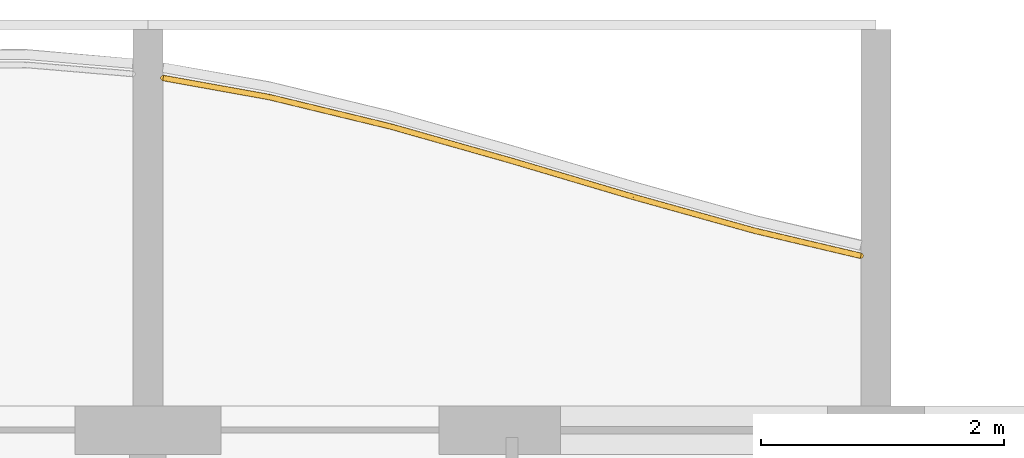
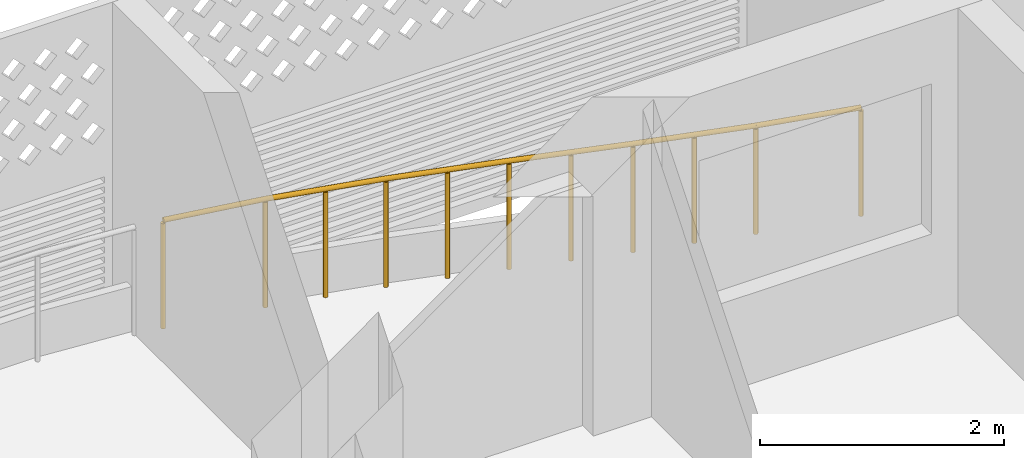
# One storey, part 24 of 31: 1 railing.
"""IFC4 building model written with IfcOpenShell, lengths in metres."""

from ifc_helpers import new_model, si_unit, direction, frame, origin, origin_2d, place, context, subcontext, project, spatial, circle, extrude, material, type_object, element, save


model = new_model("IFC4")

# Units and contexts
model_context = context("Model", 3, precision=1e-05, world=origin(), true_north=direction((0.0, 1.0)))
body_context = subcontext(model_context, "Body", "Model", "MODEL_VIEW")
ifc_project = project(units=[si_unit("LENGTHUNIT", "METRE"), si_unit("AREAUNIT", "SQUARE_METRE"), si_unit("VOLUMEUNIT", "CUBIC_METRE"), si_unit("PLANEANGLEUNIT", "RADIAN"), si_unit("MASSUNIT", "GRAM", prefix="KILO")], contexts=[model_context])

# Site, building, storey
site_placement = place(None, origin())
site = spatial("IfcSite", under=ifc_project, at=site_placement, CompositionType="ELEMENT")
building_placement = place(site_placement, origin())
building = spatial("IfcBuilding", under=site, at=building_placement, Name="Poui Terraces", CompositionType="ELEMENT")
storey_placement = place(building_placement, frame((0.0, 0.0, 148.800048828125)))
storey = spatial("IfcBuildingStorey", under=building, at=storey_placement, Name="L41", CompositionType="ELEMENT", Elevation=148.800048828125)

# Railing
ifc_material = material(Name="Painted steel fretwork", Category="steel")
railing_type = type_object("IfcRailingType", Name="BALCONY GUARD 1100", PredefinedType="GUARDRAIL", material=ifc_material)
railing_placement = place(storey_placement, frame((54.125, 45.30224609375, 0.0)))
element("IfcRailing", 1, at=railing_placement, inside=storey, type_object=railing_type, Name="BALCONY GUARD", PredefinedType="GUARDRAIL", context=body_context, shape_type="SweptSolid", body=[
    extrude(circle(Radius=0.02392578125, at=origin_2d()), frame((0.0, 0.0, 1.076171875), z_axis=(0.984189068803, -0.177121079626, 0.0), x_axis=(0.177121079626, 0.984189068803, 0.0)), (0.0, 0.0, 1.0), 0.88916015625),
    extrude(circle(Radius=0.02392578125, at=origin_2d()), frame((0.875, -0.157470703125, 1.076171875), z_axis=(0.971902764759, -0.23538270084, 0.0), x_axis=(0.23538270084, 0.971902764759, 0.0)), (0.0, 0.0, 1.0), 1.02880859375),
    extrude(circle(Radius=0.02392578125, at=origin_2d()), frame((1.875, -0.399658203125, 1.076171875), z_axis=(0.962036324093, -0.272921437645, 0.0), x_axis=(0.272921437645, 0.962036324093, 0.0)), (0.0, 0.0, 1.0), 1.03955078125),
    extrude(circle(Radius=0.02392578125, at=origin_2d()), frame((2.875, -0.683349609375, 1.076171875), z_axis=(0.958710700624, -0.284383179018, 0.0), x_axis=(0.284383179018, 0.958710700624, 0.0)), (0.0, 0.0, 1.0), 1.04296875),
    extrude(circle(Radius=0.02392578125, at=origin_2d()), frame((3.875, -0.97998046875, 1.076171875), z_axis=(0.963200548895, -0.268783746921, 0.0), x_axis=(0.268783746921, 0.963200548895, 0.0)), (0.0, 0.0, 1.0), 1.0380859375),
    extrude(circle(Radius=0.02392578125, at=origin_2d()), frame((4.875, -1.259033203125, 1.076171875), z_axis=(0.973253095993, -0.229735524333, 0.0), x_axis=(0.229735524333, 0.973253095993, 0.0)), (0.0, 0.0, 1.0), 0.89892578125),
    extrude(circle(Radius=0.02099609375, at=origin_2d()), origin(), (0.0, 0.0, 1.0), 1.052001953125),
    extrude(circle(Radius=0.02099609375, at=origin_2d()), frame((0.875, -0.157470703125, 0.0)), (0.0, 0.0, 1.0), 1.052001953125),
    extrude(circle(Radius=0.02099609375, at=origin_2d()), frame((1.375, -0.278564453125, 0.0)), (0.0, 0.0, 1.0), 1.052001953125),
    extrude(circle(Radius=0.02099609375, at=origin_2d()), frame((1.875, -0.399658203125, 0.0)), (0.0, 0.0, 1.0), 1.052001953125),
    extrude(circle(Radius=0.02099609375, at=origin_2d()), frame((2.375, -0.54150390625, 0.0)), (0.0, 0.0, 1.0), 1.052001953125),
    extrude(circle(Radius=0.02099609375, at=origin_2d()), frame((2.875, -0.683349609375, 0.0)), (0.0, 0.0, 1.0), 1.052001953125),
    extrude(circle(Radius=0.02099609375, at=origin_2d()), frame((3.375, -0.83154296875, 0.0)), (0.0, 0.0, 1.0), 1.052001953125),
    extrude(circle(Radius=0.02099609375, at=origin_2d()), frame((3.875, -0.97998046875, 0.0)), (0.0, 0.0, 1.0), 1.052001953125),
    extrude(circle(Radius=0.02099609375, at=origin_2d()), frame((4.375, -1.11962890625, 0.0)), (0.0, 0.0, 1.0), 1.052001953125),
    extrude(circle(Radius=0.02099609375, at=origin_2d()), frame((4.875, -1.259033203125, 0.0)), (0.0, 0.0, 1.0), 1.052001953125),
    extrude(circle(Radius=0.02099609375, at=origin_2d()), frame((5.75, -1.465576171875, 0.0)), (0.0, 0.0, 1.0), 1.052001953125),
])

save(model, "model.ifc")
